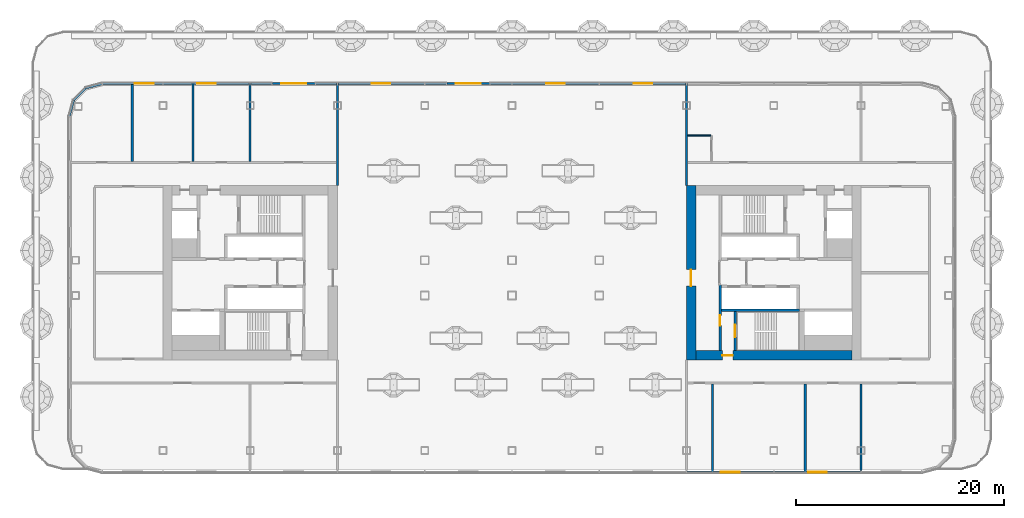
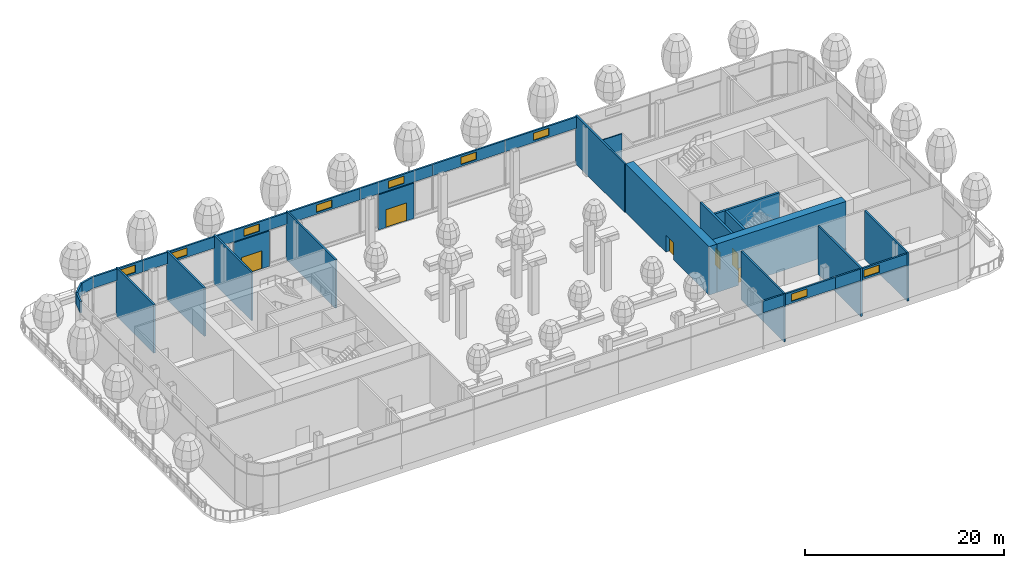
# One storey, part 14 of 43: 28 walls, 9 windows, 6 doors, 15 openings, 3 elements without a shape of their own.
"""IFC4 building model written with IfcOpenShell, lengths in metres."""

from ifc_helpers import new_model, si_unit, direction, frame, frame_2d, origin, place, context, subcontext, project, spatial, rectangle, extrude, material, layer, layer_set, type_object, element, fill, aggregate, save


model = new_model("IFC4")

# Units and contexts
model_context = context("Model", 3, precision=1e-05, world=origin(), true_north=direction((0.0, 1.0)))
body_context = subcontext(model_context, "Body", "Model", "MODEL_VIEW")
ifc_project = project(units=[si_unit("LENGTHUNIT", "METRE"), si_unit("AREAUNIT", "SQUARE_METRE"), si_unit("VOLUMEUNIT", "CUBIC_METRE"), si_unit("PLANEANGLEUNIT", "RADIAN"), si_unit("MASSUNIT", "GRAM", prefix="KILO")], contexts=[model_context])

# Site, building, storey
site_placement = place(None, origin())
site = spatial("IfcSite", under=ifc_project, at=site_placement, CompositionType="ELEMENT")
building_placement = place(site_placement, origin())
building = spatial("IfcBuilding", under=site, at=building_placement, Name="Hakoniwa Tower and Hamabe Station Hall", CompositionType="ELEMENT")
storey_placement = place(building_placement, frame((0.0, 0.0, 124.60009765625)))
storey = spatial("IfcBuildingStorey", under=building, at=storey_placement, Name="L35", CompositionType="ELEMENT", Elevation=124.60009765625)

# Wall, opening, door
ifc_material_1 = material(Name="Concrete C66", Category="concrete")
ifc_layer_1 = layer(ifc_material_1, 0.89990234375)
ifc_layer_set_1 = layer_set([ifc_layer_1], Name="CORE WALL 900 C66")
wall_type_1 = type_object("IfcWallType", Name="CORE WALL 900 C66", PredefinedType="SHEAR", material=ifc_layer_set_1)
wall_1_placement = place(storey_placement, frame((17.25, -8.39990234375, 0.0), z_axis=(0.0, 0.0, 1.0), x_axis=(0.0, 1.0, 0.0)))
wall_1 = element("IfcWall", 1, at=wall_1_placement, inside=storey, type_object=wall_type_1, Name="Core wall INNER east", PredefinedType="SHEAR", context=body_context, shape_type="SweptSolid", body=[
    extrude(rectangle(XDim=16.7998046875, YDim=0.89990234375, at=frame_2d((8.39990234375, 0.0))), origin(), (0.0, 0.0, 1.0), 5.949951171875),
])
opening_1_placement = place(wall_1_placement, frame((7.10009765625, 0.0, 0.0)))
opening_1 = element("IfcOpeningElement", 2, at=opening_1_placement, cuts=wall_1, Name="Opening CD-E-IN1-16", PredefinedType="OPENING", context=body_context, shape_type="SweptSolid", body=[
    extrude(rectangle(XDim=1.60009765625, YDim=2.10009765625, at=frame_2d((0.800048828125, 1.050048828125))), frame((0.0, 0.4599609375, 0.0), z_axis=(0.0, -1.0, 0.0), x_axis=(1.0, 0.0, 0.0)), (0.0, 0.0, 1.0), 0.919921875),
])
ifc_material_2 = material(Name="Steel fire door", Category="steel")
door_type_1 = type_object("IfcDoorType", Name="CORE DOOR 1600 FD60", OperationType="DOUBLE_DOOR_SINGLE_SWING", PredefinedType="DOOR", material=ifc_material_2)
door_1_placement = place(opening_1_placement, origin())
door_1 = element("IfcDoor", 3, at=door_1_placement, inside=storey, type_object=door_type_1, Name="Lift lobby door", OperationType="DOUBLE_DOOR_SINGLE_SWING", OverallHeight=2.10009765625, OverallWidth=1.60009765625, PredefinedType="DOOR", context=body_context, shape_type="SweptSolid", body=[
    extrude(rectangle(XDim=1.60009765625, YDim=2.10009765625, at=frame_2d((0.800048828125, 1.050048828125))), frame((0.0, 0.02490234375, 0.0), z_axis=(0.0, -1.0, 0.0), x_axis=(1.0, 0.0, 0.0)), (0.0, 0.0, 1.0), 0.050048828125),
])
fill(opening_1, door_1)

wall_2_placement = place(storey_placement, frame((17.699951171875, -7.949951171875, 0.0), z_axis=(0.0, 0.0, 1.0), x_axis=(1.0, 0.0, 0.0)))
wall_2 = element("IfcWall", 4, at=wall_2_placement, inside=storey, type_object=wall_type_1, Name="Core wall SOUTH east", PredefinedType="SHEAR", context=body_context, shape_type="SweptSolid", body=[
    extrude(rectangle(XDim=15.0, YDim=0.89990234375, at=frame_2d((7.5, 0.0))), origin(), (0.0, 0.0, 1.0), 5.949951171875),
])
opening_2_placement = place(wall_2_placement, frame((2.550048828125, 0.0, 0.0)))
opening_2 = element("IfcOpeningElement", 5, at=opening_2_placement, cuts=wall_2, Name="Opening CD-E-FS3-10", PredefinedType="OPENING", context=body_context, shape_type="SweptSolid", body=[
    extrude(rectangle(XDim=1.0, YDim=2.10009765625, at=frame_2d((0.5, 1.050048828125))), frame((0.0, 0.4599609375, 0.0), z_axis=(0.0, -1.0, 0.0), x_axis=(1.0, 0.0, 0.0)), (0.0, 0.0, 1.0), 0.919921875),
])
ifc_material_3 = material(Name="Steel fire door", Category="steel")
door_type_2 = type_object("IfcDoorType", Name="CORE DOOR 1000 FD60", OperationType="NOTDEFINED", PredefinedType="DOOR", material=ifc_material_3)
door_2_placement = place(opening_2_placement, origin())
door_2 = element("IfcDoor", 6, at=door_2_placement, inside=storey, type_object=door_type_2, Name="Stair vestibule door", OperationType="SINGLE_SWING_LEFT", OverallHeight=2.10009765625, OverallWidth=1.0, PredefinedType="DOOR", context=body_context, shape_type="SweptSolid", body=[
    extrude(rectangle(XDim=1.0, YDim=2.10009765625, at=frame_2d((0.5, 1.050048828125))), frame((0.0, 0.02490234375, 0.0), z_axis=(0.0, -1.0, 0.0), x_axis=(1.0, 0.0, 0.0)), (0.0, 0.0, 1.0), 0.050048828125),
])
fill(opening_2, door_2)

ifc_material_4 = material(Name="Concrete C66", Category="concrete")
ifc_layer_2 = layer(ifc_material_4, 0.25)
ifc_layer_set_2 = layer_set([ifc_layer_2], Name="CORE WEB WALL 250 C66")
wall_type_2 = type_object("IfcWallType", Name="CORE WEB WALL 250 C66", PredefinedType="SHEAR", material=ifc_layer_set_2)
wall_3_placement = place(storey_placement, frame((20.02490234375, -7.5, 0.0), z_axis=(0.0, 0.0, 1.0), x_axis=(0.0, 1.0, 0.0)))
wall_3 = element("IfcWall", 7, at=wall_3_placement, inside=storey, type_object=wall_type_2, Name="Core wall W1S east", PredefinedType="SHEAR", context=body_context, shape_type="SweptSolid", body=[
    extrude(rectangle(XDim=6.300048828125, YDim=0.25, at=frame_2d((3.14990234375, 0.0))), origin(), (0.0, 0.0, 1.0), 5.949951171875),
])
opening_3_placement = place(wall_3_placement, frame((2.39990234375, 0.0, 0.0)))
opening_3 = element("IfcOpeningElement", 8, at=opening_3_placement, cuts=wall_3, Name="Opening CD-E-VS-10", PredefinedType="OPENING", context=body_context, shape_type="SweptSolid", body=[
    extrude(rectangle(XDim=1.0, YDim=2.10009765625, at=frame_2d((0.5, 1.050048828125))), frame((0.0, 0.135009765625, 0.0), z_axis=(0.0, -1.0, 0.0), x_axis=(1.0, 0.0, 0.0)), (0.0, 0.0, 1.0), 0.27001953125),
])
door_3_placement = place(opening_3_placement, origin())
door_3 = element("IfcDoor", 9, at=door_3_placement, inside=storey, type_object=door_type_2, Name="Stair vestibule door", OperationType="SINGLE_SWING_RIGHT", OverallHeight=2.10009765625, OverallWidth=1.0, PredefinedType="DOOR", context=body_context, shape_type="SweptSolid", body=[
    extrude(rectangle(XDim=1.0, YDim=2.10009765625, at=frame_2d((0.5, 1.050048828125))), frame((0.0, 0.02490234375, 0.0), z_axis=(0.0, -1.0, 0.0), x_axis=(1.0, 0.0, 0.0)), (0.0, 0.0, 1.0), 0.050048828125),
])
fill(opening_3, door_3)

# Wall
wall_4_placement = place(storey_placement, frame((20.14990234375, -3.625, 0.0), z_axis=(0.0, 0.0, 1.0), x_axis=(1.0, 0.0, 0.0)))
element("IfcWall", 10, at=wall_4_placement, inside=storey, type_object=wall_type_2, Name="Core wall SR east", PredefinedType="SHEAR", context=body_context, shape_type="SweptSolid", body=[
    extrude(rectangle(XDim=7.5, YDim=0.25, at=frame_2d((3.75, 0.0))), origin(), (0.0, 0.0, 1.0), 5.949951171875),
])

# Wall, opening, door
wall_5_placement = place(storey_placement, frame((21.47509765625, -7.5, 0.0), z_axis=(0.0, 0.0, 1.0), x_axis=(0.0, 1.0, 0.0)))
wall_5 = element("IfcWall", 11, at=wall_5_placement, inside=storey, type_object=wall_type_2, Name="Core wall VE east", PredefinedType="SHEAR", context=body_context, shape_type="SweptSolid", body=[
    extrude(rectangle(XDim=3.75, YDim=0.25, at=frame_2d((1.875, 0.0))), origin(), (0.0, 0.0, 1.0), 5.949951171875),
])
opening_4_placement = place(wall_5_placement, frame((1.300048828125, 0.0, 0.0)))
opening_4 = element("IfcOpeningElement", 12, at=opening_4_placement, cuts=wall_5, Name="Opening CD-E-SS-12", PredefinedType="OPENING", context=body_context, shape_type="SweptSolid", body=[
    extrude(rectangle(XDim=1.199951171875, YDim=2.10009765625, at=frame_2d((0.60009765625, 1.050048828125))), frame((0.0, 0.135009765625, 0.0), z_axis=(0.0, -1.0, 0.0), x_axis=(1.0, 0.0, 0.0)), (0.0, 0.0, 1.0), 0.27001953125),
])
ifc_material_5 = material(Name="Steel fire door", Category="steel")
door_type_3 = type_object("IfcDoorType", Name="CORE DOOR 1200 FD60", OperationType="DOUBLE_DOOR_SINGLE_SWING", PredefinedType="DOOR", material=ifc_material_5)
door_4_placement = place(opening_4_placement, origin())
door_4 = element("IfcDoor", 13, at=door_4_placement, inside=storey, type_object=door_type_3, Name="Escape stair door", OperationType="DOUBLE_DOOR_SINGLE_SWING", OverallHeight=2.10009765625, OverallWidth=1.199951171875, PredefinedType="DOOR", context=body_context, shape_type="SweptSolid", body=[
    extrude(rectangle(XDim=1.199951171875, YDim=2.10009765625, at=frame_2d((0.60009765625, 1.050048828125))), frame((0.0, 0.02490234375, 0.0), z_axis=(0.0, -1.0, 0.0), x_axis=(1.0, 0.0, 0.0)), (0.0, 0.0, 1.0), 0.050048828125),
])
fill(opening_4, door_4)

# Curtain wall, walls, openings, doors
ifc_material_6 = material(Name="Dark low-e laminated glass", Category="glass")
ifc_layer_3 = layer(ifc_material_6, 0.199951171875)
ifc_layer_set_3 = layer_set([ifc_layer_3], Name="CW-2 SKY GARDEN")
curtain_wall_type = type_object("IfcCurtainWallType", Name="CW-2 SKY GARDEN", PredefinedType="NOTDEFINED", material=ifc_layer_set_3)
curtain_wall_1_placement = place(storey_placement, origin())
curtain_wall_1 = element("IfcCurtainWall", 14, at=curtain_wall_1_placement, inside=storey, type_object=curtain_wall_type, Name="CW-2 curtain wall", PredefinedType="NOTDEFINED")
ifc_material_7 = material(Name="Dark glass-faced aluminium panel", Category="aluminium")
ifc_layer_4 = layer(ifc_material_7, 0.199951171875)
ifc_layer_set_4 = layer_set([ifc_layer_4], Name="DOOR BAY WALL")
wall_type_3 = type_object("IfcWallType", Name="DOOR BAY WALL", PredefinedType="NOTDEFINED", material=ifc_layer_set_4)
wall_6_placement = place(storey_placement, frame((-2.1298828125, 18.199951171875, 0.0), z_axis=(0.0, 0.0, 1.0), x_axis=(-1.0, 0.0, 0.0)))
wall_6 = element("IfcWall", 15, at=wall_6_placement, type_object=wall_type_3, Name="Door bay wall", PredefinedType="NOTDEFINED", context=body_context, shape_type="SweptSolid", body=[
    extrude(rectangle(XDim=4.14013671875, YDim=0.199951171875, at=frame_2d((2.070068359375, 0.0))), origin(), (0.0, 0.0, 1.0), 4.329833984375),
])
opening_5_placement = place(wall_6_placement, frame((0.8701171875, 0.0, 0.0)))
opening_5 = element("IfcOpeningElement", 16, at=opening_5_placement, cuts=wall_6, Name="Opening TD-N03-T1", PredefinedType="OPENING", context=body_context, shape_type="SweptSolid", body=[
    extrude(rectangle(XDim=2.39990234375, YDim=2.199951171875, at=frame_2d((1.199951171875, 1.10009765625))), frame((0.0, 0.10986328125, 0.0), z_axis=(0.0, -1.0, 0.0), x_axis=(1.0, 0.0, 0.0)), (0.0, 0.0, 1.0), 0.219970703125),
])
ifc_material_8 = material(Name="Dark low-e laminated glass", Category="glass")
door_type_4 = type_object("IfcDoorType", Name="BALCONY SLIDING DOOR 2400X2200", OperationType="SLIDING_TO_LEFT", PredefinedType="DOOR", material=ifc_material_8)
door_5_placement = place(opening_5_placement, frame((2.39990234375, 0.0, 0.0), z_axis=(0.0, 0.0, 1.0), x_axis=(-1.0, 0.0, 0.0)))
door_5 = element("IfcDoor", 17, at=door_5_placement, inside=storey, type_object=door_type_4, Name="Balcony sliding door", OperationType="SLIDING_TO_LEFT", OverallHeight=2.199951171875, OverallWidth=2.39990234375, PredefinedType="DOOR", context=body_context, shape_type="SweptSolid", body=[
    extrude(rectangle(XDim=2.39990234375, YDim=2.199951171875, at=frame_2d((1.199951171875, 1.10009765625))), frame((0.0, 0.02490234375, 0.0), z_axis=(0.0, -1.0, 0.0), x_axis=(1.0, 0.0, 0.0)), (0.0, 0.0, 1.0), 0.050048828125),
])
fill(opening_5, door_5)
wall_7_placement = place(storey_placement, frame((-18.929931640625, 18.199951171875, 0.0), z_axis=(0.0, 0.0, 1.0), x_axis=(-1.0, 0.0, 0.0)))
wall_7 = element("IfcWall", 18, at=wall_7_placement, type_object=wall_type_3, Name="Door bay wall", PredefinedType="NOTDEFINED", context=body_context, shape_type="SweptSolid", body=[
    extrude(rectangle(XDim=4.14013671875, YDim=0.199951171875, at=frame_2d((2.070068359375, 0.0))), origin(), (0.0, 0.0, 1.0), 4.329833984375),
])
opening_6_placement = place(wall_7_placement, frame((0.8701171875, 0.0, 0.0)))
opening_6 = element("IfcOpeningElement", 19, at=opening_6_placement, cuts=wall_7, Name="Opening TD-N03-T4", PredefinedType="OPENING", context=body_context, shape_type="SweptSolid", body=[
    extrude(rectangle(XDim=2.39990234375, YDim=2.199951171875, at=frame_2d((1.199951171875, 1.10009765625))), frame((0.0, 0.10986328125, 0.0), z_axis=(0.0, -1.0, 0.0), x_axis=(1.0, 0.0, 0.0)), (0.0, 0.0, 1.0), 0.219970703125),
])
door_6_placement = place(opening_6_placement, frame((2.39990234375, 0.0, 0.0), z_axis=(0.0, 0.0, 1.0), x_axis=(-1.0, 0.0, 0.0)))
door_6 = element("IfcDoor", 20, at=door_6_placement, inside=storey, type_object=door_type_4, Name="Balcony sliding door", OperationType="SLIDING_TO_LEFT", OverallHeight=2.199951171875, OverallWidth=2.39990234375, PredefinedType="DOOR", context=body_context, shape_type="SweptSolid", body=[
    extrude(rectangle(XDim=2.39990234375, YDim=2.199951171875, at=frame_2d((1.199951171875, 1.10009765625))), frame((0.0, 0.02490234375, 0.0), z_axis=(0.0, -1.0, 0.0), x_axis=(1.0, 0.0, 0.0)), (0.0, 0.0, 1.0), 0.050048828125),
])
fill(opening_6, door_6)

# Walls
ifc_material_9 = material(Name="Fire-rated gypsum board partition", Category="gypsum")
ifc_layer_5 = layer(ifc_material_9, 0.199951171875)
ifc_layer_set_5 = layer_set([ifc_layer_5], Name="Party Wall 200")
wall_type_4 = type_object("IfcWallType", Name="Party Wall 200", PredefinedType="PARTITIONING", material=ifc_layer_set_5)
for number, where, z_axis, x_axis, name in (
    (21, (-36.550048828125, 10.699951171875, 0.0), (0.0, 0.0, 1.0), (0.0, 1.0, 0.0), "GW-L35-013"),
    (22, (-30.699951171875, 10.699951171875, 0.0), (0.0, 0.0, 1.0), (0.0, 1.0, 0.0), "GW-L35-014"),
    (23, (-25.199951171875, 10.699951171875, 0.0), (0.0, 0.0, 1.0), (0.0, 1.0, 0.0), "GW-L35-016"),
):
    element("IfcWall", number, at=place(storey_placement, frame(where, z_axis=z_axis, x_axis=x_axis)), inside=storey, type_object=wall_type_4, Name=name, PredefinedType="PARTITIONING", context=body_context, shape_type="SweptSolid", body=[
        extrude(rectangle(XDim=7.60009765625, YDim=0.199951171875, at=frame_2d((3.800048828125, 0.0))), origin(), (0.0, 0.0, 1.0), 5.949951171875),
    ])
for number, where, z_axis, x_axis, name in (
    (24, (-16.800048828125, 8.389892578125, 0.0), (0.0, 0.0, 1.0), (0.0, 1.0, 0.0), "GW-L35-018"),
    (25, (16.800048828125, 8.389892578125, 0.0), (0.0, 0.0, 1.0), (0.0, 1.0, 0.0), "GW-L35-020"),
):
    element("IfcWall", number, at=place(storey_placement, frame(where, z_axis=z_axis, x_axis=x_axis)), inside=storey, type_object=wall_type_4, Name=name, PredefinedType="PARTITIONING", context=body_context, shape_type="SweptSolid", body=[
        extrude(rectangle(XDim=9.91015625, YDim=0.199951171875, at=frame_2d((4.955078125, 0.0))), origin(), (0.0, 0.0, 1.0), 5.949951171875),
    ])
for number, where, z_axis, x_axis, name in (
    (26, (19.300048828125, -19.300048828125, 0.0), (0.0, 0.0, 1.0), (0.0, 1.0, 0.0), "GW-L35-022"),
    (27, (28.219970703125, -19.300048828125, 0.0), (0.0, 0.0, 1.0), (0.0, 1.0, 0.0), "GW-L35-023"),
    (28, (33.60009765625, -19.300048828125, 0.0), (0.0, 0.0, 1.0), (0.0, 1.0, 0.0), "GW-L35-024"),
):
    element("IfcWall", number, at=place(storey_placement, frame(where, z_axis=z_axis, x_axis=x_axis)), inside=storey, type_object=wall_type_4, Name=name, PredefinedType="PARTITIONING", context=body_context, shape_type="SweptSolid", body=[
        extrude(rectangle(XDim=8.60009765625, YDim=0.199951171875, at=frame_2d((4.300048828125, 0.0))), origin(), (0.0, 0.0, 1.0), 5.949951171875),
    ])
ifc_material_10 = material(Name="Gypsum board partition", Category="gypsum")
ifc_layer_6 = layer(ifc_material_10, 0.125)
ifc_layer_set_6 = layer_set([ifc_layer_6], Name="Room Partition 125")
wall_type_5 = type_object("IfcWallType", Name="Room Partition 125", PredefinedType="PARTITIONING", material=ifc_layer_set_6)
wall_8_placement = place(storey_placement, frame((16.89990234375, 13.199951171875, 0.0), z_axis=(0.0, 0.0, 1.0), x_axis=(1.0, 0.0, 0.0)))
element("IfcWall", 29, at=wall_8_placement, inside=storey, type_object=wall_type_5, Name="GW-L35-011", PredefinedType="PARTITIONING", context=body_context, shape_type="SweptSolid", body=[
    extrude(rectangle(XDim=2.237548828125, YDim=0.125, at=frame_2d((1.11865234375, 0.0))), origin(), (0.0, 0.0, 1.0), 5.949951171875),
])

# Wall, opening, window
ifc_material_11 = material(Name="Dark glass-faced aluminium panel", Category="aluminium")
ifc_layer_7 = layer(ifc_material_11, 0.199951171875)
ifc_layer_set_7 = layer_set([ifc_layer_7], Name="VENT BAND WALL")
wall_type_6 = type_object("IfcWallType", Name="VENT BAND WALL", PredefinedType="NOTDEFINED", material=ifc_layer_set_7)
wall_9_placement = place(storey_placement, frame((16.800048828125, 18.199951171875, 4.449951171875), z_axis=(0.0, 0.0, 1.0), x_axis=(-1.0, 0.0, 0.0)))
wall_9 = element("IfcWall", 30, at=wall_9_placement, type_object=wall_type_6, Name="Vent band wall", PredefinedType="NOTDEFINED", context=body_context, shape_type="SweptSolid", body=[
    extrude(rectangle(XDim=8.400146484375, YDim=0.199951171875, at=frame_2d((4.2001953125, 0.0))), origin(), (0.0, 0.0, 1.0), 1.39990234375),
])
opening_7_placement = place(wall_9_placement, frame((3.300048828125, 0.0, 0.25)))
opening_7 = element("IfcOpeningElement", 31, at=opening_7_placement, cuts=wall_9, Name="Opening VW-1", PredefinedType="OPENING", context=body_context, shape_type="SweptSolid", body=[
    extrude(rectangle(XDim=1.800048828125, YDim=0.89990234375, at=frame_2d((0.89990234375, 0.449951171875))), frame((0.0, 0.10986328125, 0.0), z_axis=(0.0, -1.0, 0.0), x_axis=(1.0, 0.0, 0.0)), (0.0, 0.0, 1.0), 0.219970703125),
])
ifc_material_12 = material(Name="Dark low-e laminated glass", Category="glass")
window_type = type_object("IfcWindowType", Name="VENT WINDOW 1800X900", PartitioningType="SINGLE_PANEL", PredefinedType="WINDOW", material=ifc_material_12)
window_1_placement = place(opening_7_placement, origin())
window_1 = element("IfcWindow", 32, at=window_1_placement, inside=storey, type_object=window_type, Name="Vent window", OverallHeight=0.89990234375, OverallWidth=1.800048828125, PartitioningType="SINGLE_PANEL", PredefinedType="WINDOW", context=body_context, shape_type="SweptSolid", body=[
    extrude(rectangle(XDim=1.800048828125, YDim=0.89990234375, at=frame_2d((0.89990234375, 0.449951171875))), frame((0.0, 0.030029296875, 0.0), z_axis=(0.0, -1.0, 0.0), x_axis=(1.0, 0.0, 0.0)), (0.0, 0.0, 1.0), 0.06005859375),
])
fill(opening_7, window_1)

wall_10_placement = place(storey_placement, frame((8.39990234375, 18.199951171875, 4.449951171875), z_axis=(0.0, 0.0, 1.0), x_axis=(-1.0, 0.0, 0.0)))
wall_10 = element("IfcWall", 33, at=wall_10_placement, type_object=wall_type_6, Name="Vent band wall", PredefinedType="NOTDEFINED", context=body_context, shape_type="SweptSolid", body=[
    extrude(rectangle(XDim=8.39990234375, YDim=0.199951171875, at=frame_2d((4.199951171875, 0.0))), origin(), (0.0, 0.0, 1.0), 1.39990234375),
])
opening_8_placement = place(wall_10_placement, frame((3.300048828125, 0.0, 0.25)))
opening_8 = element("IfcOpeningElement", 34, at=opening_8_placement, cuts=wall_10, Name="Opening VW-1", PredefinedType="OPENING", context=body_context, shape_type="SweptSolid", body=[
    extrude(rectangle(XDim=1.800048828125, YDim=0.89990234375, at=frame_2d((0.89990234375, 0.449951171875))), frame((0.0, 0.10986328125, 0.0), z_axis=(0.0, -1.0, 0.0), x_axis=(1.0, 0.0, 0.0)), (0.0, 0.0, 1.0), 0.219970703125),
])
window_2_placement = place(opening_8_placement, origin())
window_2 = element("IfcWindow", 35, at=window_2_placement, inside=storey, type_object=window_type, Name="Vent window", OverallHeight=0.89990234375, OverallWidth=1.800048828125, PartitioningType="SINGLE_PANEL", PredefinedType="WINDOW", context=body_context, shape_type="SweptSolid", body=[
    extrude(rectangle(XDim=1.800048828125, YDim=0.89990234375, at=frame_2d((0.89990234375, 0.449951171875))), frame((0.0, 0.030029296875, 0.0), z_axis=(0.0, -1.0, 0.0), x_axis=(1.0, 0.0, 0.0)), (0.0, 0.0, 1.0), 0.06005859375),
])
fill(opening_8, window_2)

wall_11_placement = place(storey_placement, frame((0.0, 18.199951171875, 4.449951171875), z_axis=(0.0, 0.0, 1.0), x_axis=(-1.0, 0.0, 0.0)))
wall_11 = element("IfcWall", 36, at=wall_11_placement, type_object=wall_type_6, Name="Vent band wall", PredefinedType="NOTDEFINED", context=body_context, shape_type="SweptSolid", body=[
    extrude(rectangle(XDim=8.39990234375, YDim=0.199951171875, at=frame_2d((4.199951171875, 0.0))), origin(), (0.0, 0.0, 1.0), 1.39990234375),
])
opening_9_placement = place(wall_11_placement, frame((3.300048828125, 0.0, 0.25)))
opening_9 = element("IfcOpeningElement", 37, at=opening_9_placement, cuts=wall_11, Name="Opening VW-1", PredefinedType="OPENING", context=body_context, shape_type="SweptSolid", body=[
    extrude(rectangle(XDim=1.800048828125, YDim=0.89990234375, at=frame_2d((0.89990234375, 0.449951171875))), frame((0.0, 0.10986328125, 0.0), z_axis=(0.0, -1.0, 0.0), x_axis=(1.0, 0.0, 0.0)), (0.0, 0.0, 1.0), 0.219970703125),
])
window_3_placement = place(opening_9_placement, origin())
window_3 = element("IfcWindow", 38, at=window_3_placement, inside=storey, type_object=window_type, Name="Vent window", OverallHeight=0.89990234375, OverallWidth=1.800048828125, PartitioningType="SINGLE_PANEL", PredefinedType="WINDOW", context=body_context, shape_type="SweptSolid", body=[
    extrude(rectangle(XDim=1.800048828125, YDim=0.89990234375, at=frame_2d((0.89990234375, 0.449951171875))), frame((0.0, 0.030029296875, 0.0), z_axis=(0.0, -1.0, 0.0), x_axis=(1.0, 0.0, 0.0)), (0.0, 0.0, 1.0), 0.06005859375),
])
fill(opening_9, window_3)

wall_12_placement = place(storey_placement, frame((-8.39990234375, 18.199951171875, 4.449951171875), z_axis=(0.0, 0.0, 1.0), x_axis=(-1.0, 0.0, 0.0)))
wall_12 = element("IfcWall", 39, at=wall_12_placement, type_object=wall_type_6, Name="Vent band wall", PredefinedType="NOTDEFINED", context=body_context, shape_type="SweptSolid", body=[
    extrude(rectangle(XDim=8.400146484375, YDim=0.199951171875, at=frame_2d((4.2001953125, 0.0))), origin(), (0.0, 0.0, 1.0), 1.39990234375),
])
opening_10_placement = place(wall_12_placement, frame((3.300048828125, 0.0, 0.25)))
opening_10 = element("IfcOpeningElement", 40, at=opening_10_placement, cuts=wall_12, Name="Opening VW-1", PredefinedType="OPENING", context=body_context, shape_type="SweptSolid", body=[
    extrude(rectangle(XDim=1.800048828125, YDim=0.89990234375, at=frame_2d((0.89990234375, 0.449951171875))), frame((0.0, 0.10986328125, 0.0), z_axis=(0.0, -1.0, 0.0), x_axis=(1.0, 0.0, 0.0)), (0.0, 0.0, 1.0), 0.219970703125),
])
window_4_placement = place(opening_10_placement, origin())
window_4 = element("IfcWindow", 41, at=window_4_placement, inside=storey, type_object=window_type, Name="Vent window", OverallHeight=0.89990234375, OverallWidth=1.800048828125, PartitioningType="SINGLE_PANEL", PredefinedType="WINDOW", context=body_context, shape_type="SweptSolid", body=[
    extrude(rectangle(XDim=1.800048828125, YDim=0.89990234375, at=frame_2d((0.89990234375, 0.449951171875))), frame((0.0, 0.030029296875, 0.0), z_axis=(0.0, -1.0, 0.0), x_axis=(1.0, 0.0, 0.0)), (0.0, 0.0, 1.0), 0.06005859375),
])
fill(opening_10, window_4)

wall_13_placement = place(storey_placement, frame((-16.800048828125, 18.199951171875, 4.449951171875), z_axis=(0.0, 0.0, 1.0), x_axis=(-1.0, 0.0, 0.0)))
wall_13 = element("IfcWall", 42, at=wall_13_placement, type_object=wall_type_6, Name="Vent band wall", PredefinedType="NOTDEFINED", context=body_context, shape_type="SweptSolid", body=[
    extrude(rectangle(XDim=8.39990234375, YDim=0.199951171875, at=frame_2d((4.199951171875, 0.0))), origin(), (0.0, 0.0, 1.0), 1.39990234375),
])
opening_11_placement = place(wall_13_placement, frame((3.300048828125, 0.0, 0.25)))
opening_11 = element("IfcOpeningElement", 43, at=opening_11_placement, cuts=wall_13, Name="Opening VW-1", PredefinedType="OPENING", context=body_context, shape_type="SweptSolid", body=[
    extrude(rectangle(XDim=1.800048828125, YDim=0.89990234375, at=frame_2d((0.89990234375, 0.449951171875))), frame((0.0, 0.10986328125, 0.0), z_axis=(0.0, -1.0, 0.0), x_axis=(1.0, 0.0, 0.0)), (0.0, 0.0, 1.0), 0.219970703125),
])
window_5_placement = place(opening_11_placement, origin())
window_5 = element("IfcWindow", 44, at=window_5_placement, inside=storey, type_object=window_type, Name="Vent window", OverallHeight=0.89990234375, OverallWidth=1.800048828125, PartitioningType="SINGLE_PANEL", PredefinedType="WINDOW", context=body_context, shape_type="SweptSolid", body=[
    extrude(rectangle(XDim=1.800048828125, YDim=0.89990234375, at=frame_2d((0.89990234375, 0.449951171875))), frame((0.0, 0.030029296875, 0.0), z_axis=(0.0, -1.0, 0.0), x_axis=(1.0, 0.0, 0.0)), (0.0, 0.0, 1.0), 0.06005859375),
])
fill(opening_11, window_5)

wall_14_placement = place(storey_placement, frame((-25.199951171875, 18.199951171875, 4.449951171875), z_axis=(0.0, 0.0, 1.0), x_axis=(-1.0, 0.0, 0.0)))
wall_14 = element("IfcWall", 45, at=wall_14_placement, type_object=wall_type_6, Name="Vent band wall", PredefinedType="NOTDEFINED", context=body_context, shape_type="SweptSolid", body=[
    extrude(rectangle(XDim=8.400146484375, YDim=0.199951171875, at=frame_2d((4.2001953125, 0.0))), origin(), (0.0, 0.0, 1.0), 1.39990234375),
])
opening_12_placement = place(wall_14_placement, frame((3.300048828125, 0.0, 0.25)))
opening_12 = element("IfcOpeningElement", 46, at=opening_12_placement, cuts=wall_14, Name="Opening VW-1", PredefinedType="OPENING", context=body_context, shape_type="SweptSolid", body=[
    extrude(rectangle(XDim=1.800048828125, YDim=0.89990234375, at=frame_2d((0.89990234375, 0.449951171875))), frame((0.0, 0.10986328125, 0.0), z_axis=(0.0, -1.0, 0.0), x_axis=(1.0, 0.0, 0.0)), (0.0, 0.0, 1.0), 0.219970703125),
])
window_6_placement = place(opening_12_placement, origin())
window_6 = element("IfcWindow", 47, at=window_6_placement, inside=storey, type_object=window_type, Name="Vent window", OverallHeight=0.89990234375, OverallWidth=1.800048828125, PartitioningType="SINGLE_PANEL", PredefinedType="WINDOW", context=body_context, shape_type="SweptSolid", body=[
    extrude(rectangle(XDim=1.800048828125, YDim=0.89990234375, at=frame_2d((0.89990234375, 0.449951171875))), frame((0.0, 0.030029296875, 0.0), z_axis=(0.0, -1.0, 0.0), x_axis=(1.0, 0.0, 0.0)), (0.0, 0.0, 1.0), 0.06005859375),
])
fill(opening_12, window_6)

wall_15_placement = place(storey_placement, frame((-33.60009765625, 18.199951171875, 4.449951171875), z_axis=(0.0, 0.0, 1.0), x_axis=(-1.0, 0.0, 0.0)))
wall_15 = element("IfcWall", 48, at=wall_15_placement, type_object=wall_type_6, Name="Vent band wall", PredefinedType="NOTDEFINED", context=body_context, shape_type="SweptSolid", body=[
    extrude(rectangle(XDim=5.809326171875, YDim=0.199951171875, at=frame_2d((2.90478515625, 0.0))), origin(), (0.0, 0.0, 1.0), 1.39990234375),
])
opening_13_placement = place(wall_15_placement, frame((0.89990234375, 0.0, 0.25)))
opening_13 = element("IfcOpeningElement", 49, at=opening_13_placement, cuts=wall_15, Name="Opening VW-1", PredefinedType="OPENING", context=body_context, shape_type="SweptSolid", body=[
    extrude(rectangle(XDim=1.800048828125, YDim=0.89990234375, at=frame_2d((0.89990234375, 0.449951171875))), frame((0.0, 0.10986328125, 0.0), z_axis=(0.0, -1.0, 0.0), x_axis=(1.0, 0.0, 0.0)), (0.0, 0.0, 1.0), 0.219970703125),
])
window_7_placement = place(opening_13_placement, origin())
window_7 = element("IfcWindow", 50, at=window_7_placement, inside=storey, type_object=window_type, Name="Vent window", OverallHeight=0.89990234375, OverallWidth=1.800048828125, PartitioningType="SINGLE_PANEL", PredefinedType="WINDOW", context=body_context, shape_type="SweptSolid", body=[
    extrude(rectangle(XDim=1.800048828125, YDim=0.89990234375, at=frame_2d((0.89990234375, 0.449951171875))), frame((0.0, 0.030029296875, 0.0), z_axis=(0.0, -1.0, 0.0), x_axis=(1.0, 0.0, 0.0)), (0.0, 0.0, 1.0), 0.06005859375),
])
fill(opening_13, window_7)

aggregate(curtain_wall_1, [wall_9, wall_10, wall_11, wall_12, wall_13, wall_14, wall_15, wall_6, wall_7])

# Curtain wall, walls
curtain_wall_2_placement = place(storey_placement, origin())
curtain_wall_2 = element("IfcCurtainWall", 51, at=curtain_wall_2_placement, inside=storey, type_object=curtain_wall_type, Name="CW-2 curtain wall", PredefinedType="NOTDEFINED")
wall_16_placement = place(storey_placement, frame((-39.442626953125, 18.195556640625, 4.449951171875), z_axis=(0.0, 0.0, 1.0), x_axis=(-0.965940754539, -0.258763325689, 0.0)))
wall_16 = element("IfcWall", 52, at=wall_16_placement, type_object=wall_type_6, Name="Vent band wall", PredefinedType="NOTDEFINED", context=body_context, shape_type="SweptSolid", body=[
    extrude(rectangle(XDim=1.642578125, YDim=0.199951171875, at=frame_2d((0.8212890625, 0.0))), origin(), (0.0, 0.0, 1.0), 1.39990234375),
])
wall_17_placement = place(storey_placement, frame((-41.029296875, 17.7705078125, 4.449951171875), z_axis=(0.0, 0.0, 1.0), x_axis=(-0.707106781187, -0.707106781187, 0.0)))
wall_17 = element("IfcWall", 53, at=wall_17_placement, type_object=wall_type_6, Name="Vent band wall", PredefinedType="NOTDEFINED", context=body_context, shape_type="SweptSolid", body=[
    extrude(rectangle(XDim=1.7138671875, YDim=0.199951171875, at=frame_2d((0.85693359375, 0.0))), origin(), (0.0, 0.0, 1.0), 1.39990234375),
])
wall_18_placement = place(storey_placement, frame((-42.1962890625, 16.58447265625, 4.449951171875), z_axis=(0.0, 0.0, 1.0), x_axis=(-0.258901994846, -0.965903596155, 0.0)))
wall_18 = element("IfcWall", 54, at=wall_18_placement, type_object=wall_type_6, Name="Vent band wall", PredefinedType="NOTDEFINED", context=body_context, shape_type="SweptSolid", body=[
    extrude(rectangle(XDim=1.642578125, YDim=0.199951171875, at=frame_2d((0.8212890625, 0.0))), origin(), (0.0, 0.0, 1.0), 1.39990234375),
])
aggregate(curtain_wall_2, [wall_16, wall_17, wall_18])

# Curtain wall, walls, openings, windows
curtain_wall_3_placement = place(storey_placement, origin())
curtain_wall_3 = element("IfcCurtainWall", 55, at=curtain_wall_3_placement, inside=storey, type_object=curtain_wall_type, Name="CW-2 curtain wall", PredefinedType="NOTDEFINED")
wall_19_placement = place(storey_placement, frame((16.800048828125, -19.199951171875, 4.449951171875), z_axis=(0.0, 0.0, 1.0), x_axis=(1.0, 0.0, 0.0)))
wall_19 = element("IfcWall", 56, at=wall_19_placement, type_object=wall_type_6, Name="Vent band wall", PredefinedType="NOTDEFINED", context=body_context, shape_type="SweptSolid", body=[
    extrude(rectangle(XDim=8.39990234375, YDim=0.199951171875, at=frame_2d((4.199951171875, 0.0))), origin(), (0.0, 0.0, 1.0), 1.39990234375),
])
opening_14_placement = place(wall_19_placement, frame((3.300048828125, 0.0, 0.25)))
opening_14 = element("IfcOpeningElement", 57, at=opening_14_placement, cuts=wall_19, Name="Opening VW-1", PredefinedType="OPENING", context=body_context, shape_type="SweptSolid", body=[
    extrude(rectangle(XDim=1.800048828125, YDim=0.89990234375, at=frame_2d((0.89990234375, 0.449951171875))), frame((0.0, 0.10986328125, 0.0), z_axis=(0.0, -1.0, 0.0), x_axis=(1.0, 0.0, 0.0)), (0.0, 0.0, 1.0), 0.219970703125),
])
window_8_placement = place(opening_14_placement, origin())
window_8 = element("IfcWindow", 58, at=window_8_placement, inside=storey, type_object=window_type, Name="Vent window", OverallHeight=0.89990234375, OverallWidth=1.800048828125, PartitioningType="SINGLE_PANEL", PredefinedType="WINDOW", context=body_context, shape_type="SweptSolid", body=[
    extrude(rectangle(XDim=1.800048828125, YDim=0.89990234375, at=frame_2d((0.89990234375, 0.449951171875))), frame((0.0, 0.030029296875, 0.0), z_axis=(0.0, -1.0, 0.0), x_axis=(1.0, 0.0, 0.0)), (0.0, 0.0, 1.0), 0.06005859375),
])
fill(opening_14, window_8)
wall_20_placement = place(storey_placement, frame((25.199951171875, -19.199951171875, 4.449951171875), z_axis=(0.0, 0.0, 1.0), x_axis=(1.0, 0.0, 0.0)))
wall_20 = element("IfcWall", 59, at=wall_20_placement, type_object=wall_type_6, Name="Vent band wall", PredefinedType="NOTDEFINED", context=body_context, shape_type="SweptSolid", body=[
    extrude(rectangle(XDim=8.400146484375, YDim=0.199951171875, at=frame_2d((4.2001953125, 0.0))), origin(), (0.0, 0.0, 1.0), 1.39990234375),
])
opening_15_placement = place(wall_20_placement, frame((3.300048828125, 0.0, 0.25)))
opening_15 = element("IfcOpeningElement", 60, at=opening_15_placement, cuts=wall_20, Name="Opening VW-1", PredefinedType="OPENING", context=body_context, shape_type="SweptSolid", body=[
    extrude(rectangle(XDim=1.800048828125, YDim=0.89990234375, at=frame_2d((0.89990234375, 0.449951171875))), frame((0.0, 0.10986328125, 0.0), z_axis=(0.0, -1.0, 0.0), x_axis=(1.0, 0.0, 0.0)), (0.0, 0.0, 1.0), 0.219970703125),
])
window_9_placement = place(opening_15_placement, origin())
window_9 = element("IfcWindow", 61, at=window_9_placement, inside=storey, type_object=window_type, Name="Vent window", OverallHeight=0.89990234375, OverallWidth=1.800048828125, PartitioningType="SINGLE_PANEL", PredefinedType="WINDOW", context=body_context, shape_type="SweptSolid", body=[
    extrude(rectangle(XDim=1.800048828125, YDim=0.89990234375, at=frame_2d((0.89990234375, 0.449951171875))), frame((0.0, 0.030029296875, 0.0), z_axis=(0.0, -1.0, 0.0), x_axis=(1.0, 0.0, 0.0)), (0.0, 0.0, 1.0), 0.06005859375),
])
fill(opening_15, window_9)
aggregate(curtain_wall_3, [wall_19, wall_20])

save(model, "model.ifc")
